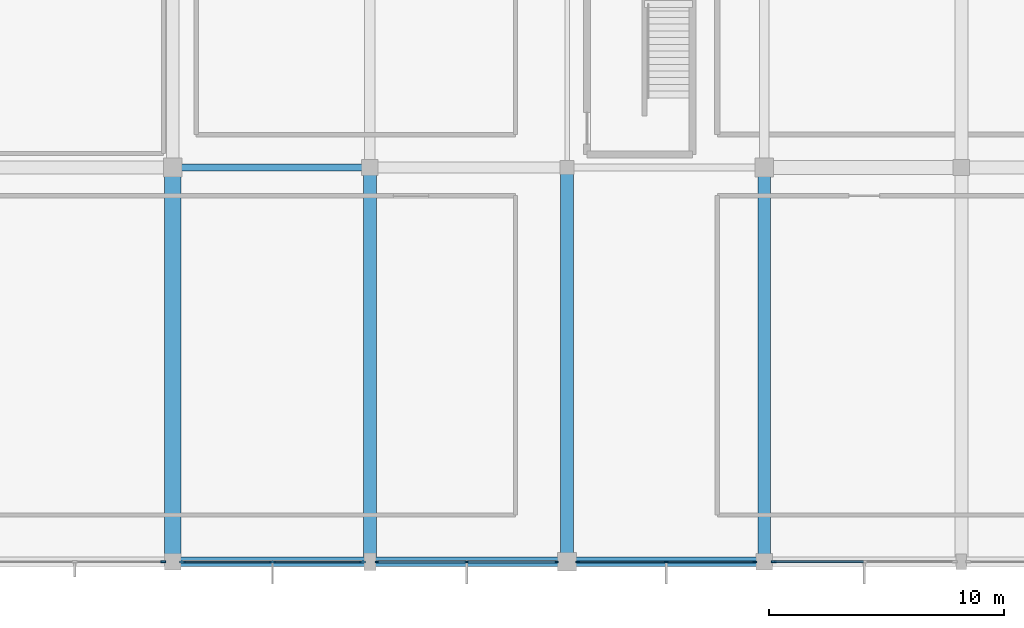
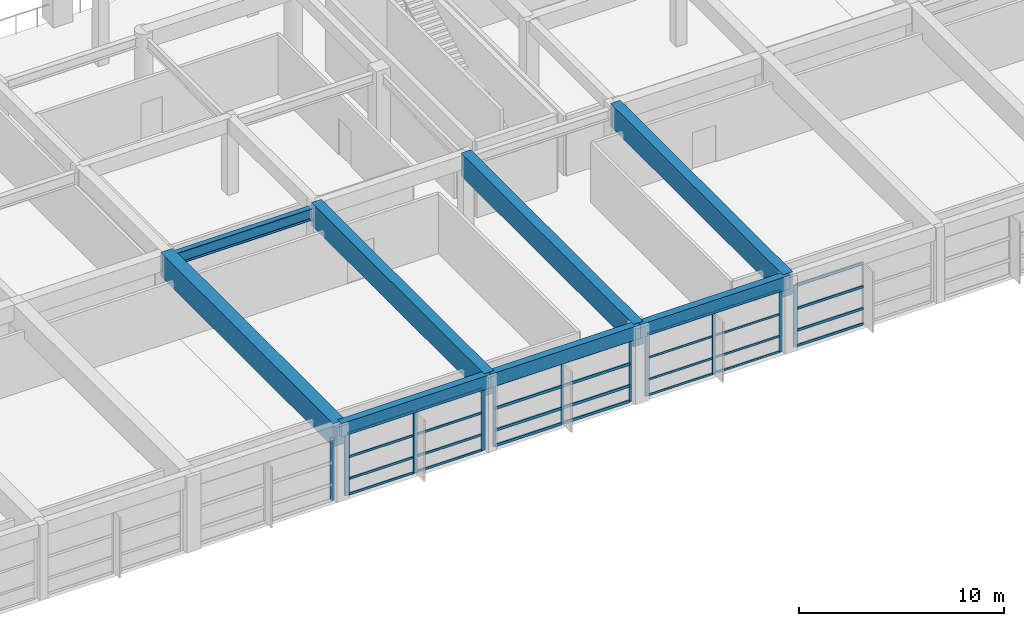
# One storey, part 16 of 65: 39 members, 8 beams, 5 elements without a shape of their own.
"""IFC4 building model written with IfcOpenShell, lengths in metres."""

from ifc_helpers import new_model, si_unit, direction, frame, origin, origin_2d, place, context, subcontext, project, spatial, rectangle, i_section, extrude, material, material_profile, profile_set, type_object, element, aggregate, save


model = new_model("IFC4")

# Units and contexts
model_context = context("Model", 3, precision=1e-05, world=origin(), true_north=direction((0.0, 1.0)))
body_context = subcontext(model_context, "Body", "Model", "MODEL_VIEW")
ifc_project = project(units=[si_unit("LENGTHUNIT", "METRE"), si_unit("AREAUNIT", "SQUARE_METRE"), si_unit("VOLUMEUNIT", "CUBIC_METRE"), si_unit("PLANEANGLEUNIT", "RADIAN"), si_unit("MASSUNIT", "GRAM", prefix="KILO")], contexts=[model_context])

# Site, building, storey
site_placement = place(None, origin())
site = spatial("IfcSite", under=ifc_project, at=site_placement, CompositionType="ELEMENT")
building_placement = place(site_placement, origin())
building = spatial("IfcBuilding", under=site, at=building_placement, Name="Xuanlan Plaza Opera House", CompositionType="ELEMENT")
storey_placement = place(building_placement, frame((0.0, 0.0, 5.39990234375)))
storey = spatial("IfcBuildingStorey", under=building, at=storey_placement, Name="L01", CompositionType="ELEMENT", Elevation=5.39990234375)

# Curtain wall, members
ifc_material_1 = material(Name="Anodised Aluminium 6063-T6 and Low-E Glass", Category="aluminium")
curtain_wall_type_1 = type_object("IfcCurtainWallType", Name="ENV-CW-CW-05", PredefinedType="USERDEFINED", material=ifc_material_1)
curtain_wall_1_placement = place(storey_placement, origin())
curtain_wall_1 = element("IfcCurtainWall", 1, at=curtain_wall_1_placement, inside=storey, type_object=curtain_wall_type_1, Name="Acoustic Glazed Wall L01-008", ObjectType="ACOUSTIC GLAZED WALL", PredefinedType="USERDEFINED")
ifc_material_2 = material(Name="Anodised Aluminium 6063-T6", Category="aluminium")
ifc_material_profile_1 = material_profile(ifc_material_2, rectangle(XDim=0.06494140625, YDim=0.159912109375, at=origin_2d()), Name="ALU-M 65x160")
ifc_profile_set_1 = profile_set([ifc_material_profile_1], Name="Anodised Aluminium 6063-T6")
member_type_1 = type_object("IfcMemberType", Name="ENV-CWM-01", PredefinedType="MULLION", material=ifc_profile_set_1)
member_1_placement = place(storey_placement, frame((75.902587890625, 0.0, 0.0), z_axis=(0.0, 0.0, 1.0), x_axis=(0.0, 1.0, 0.0)))
member_1 = element("IfcMember", 2, at=member_1_placement, type_object=member_type_1, Name="CW-05 mullion 1", PredefinedType="MULLION", context=body_context, shape_type="SweptSolid", body=[
    extrude(rectangle(XDim=0.06494140625, YDim=0.159912109375, at=origin_2d()), origin(), (0.0, 0.0, 1.0), 3.68017578125),
])
member_2_placement = place(storey_placement, frame((79.72509765625, 0.0, 0.0), z_axis=(0.0, 0.0, 1.0), x_axis=(0.0, 1.0, 0.0)))
member_2 = element("IfcMember", 3, at=member_2_placement, type_object=member_type_1, Name="CW-05 mullion 2", PredefinedType="MULLION", context=body_context, shape_type="SweptSolid", body=[
    extrude(rectangle(XDim=0.06494140625, YDim=0.159912109375, at=origin_2d()), origin(), (0.0, 0.0, 1.0), 3.68017578125),
])
member_3_placement = place(storey_placement, frame((83.547607421875, 0.0, 0.0), z_axis=(0.0, 0.0, 1.0), x_axis=(0.0, 1.0, 0.0)))
member_3 = element("IfcMember", 4, at=member_3_placement, type_object=member_type_1, Name="CW-05 mullion 3", PredefinedType="MULLION", context=body_context, shape_type="SweptSolid", body=[
    extrude(rectangle(XDim=0.06494140625, YDim=0.159912109375, at=origin_2d()), origin(), (0.0, 0.0, 1.0), 3.68017578125),
])

curtain_wall_type_2 = type_object("IfcCurtainWallType", Name="ENV-CW-CW-06", PredefinedType="USERDEFINED", material=ifc_material_1)
curtain_wall_2_placement = place(storey_placement, origin())
curtain_wall_2 = element("IfcCurtainWall", 5, at=curtain_wall_2_placement, inside=storey, type_object=curtain_wall_type_2, Name="Acoustic Glazed Wall L01-009", ObjectType="ACOUSTIC GLAZED WALL", PredefinedType="USERDEFINED")
ifc_material_profile_2 = material_profile(ifc_material_2, rectangle(XDim=0.070068359375, YDim=0.179931640625, at=origin_2d()), Name="ALU-M 70x180")
ifc_profile_set_2 = profile_set([ifc_material_profile_2], Name="Anodised Aluminium 6063-T6")
member_type_2 = type_object("IfcMemberType", Name="ENV-CWM-02", PredefinedType="MULLION", material=ifc_profile_set_2)
member_4_placement = place(storey_placement, frame((84.455078125, 0.0, 0.0), z_axis=(0.0, 0.0, 1.0), x_axis=(0.0, 1.0, 0.0)))
member_4 = element("IfcMember", 6, at=member_4_placement, type_object=member_type_2, Name="CW-06 mullion 1", PredefinedType="MULLION", context=body_context, shape_type="SweptSolid", body=[
    extrude(rectangle(XDim=0.070068359375, YDim=0.179931640625, at=origin_2d()), origin(), (0.0, 0.0, 1.0), 3.68017578125),
])
member_5_placement = place(storey_placement, frame((88.22509765625, 0.0, 0.0), z_axis=(0.0, 0.0, 1.0), x_axis=(0.0, 1.0, 0.0)))
member_5 = element("IfcMember", 7, at=member_5_placement, type_object=member_type_2, Name="CW-06 mullion 2", PredefinedType="MULLION", context=body_context, shape_type="SweptSolid", body=[
    extrude(rectangle(XDim=0.070068359375, YDim=0.179931640625, at=origin_2d()), origin(), (0.0, 0.0, 1.0), 3.68017578125),
])
member_6_placement = place(storey_placement, frame((91.9951171875, 0.0, 0.0), z_axis=(0.0, 0.0, 1.0), x_axis=(0.0, 1.0, 0.0)))
member_6 = element("IfcMember", 8, at=member_6_placement, type_object=member_type_2, Name="CW-06 mullion 3", PredefinedType="MULLION", context=body_context, shape_type="SweptSolid", body=[
    extrude(rectangle(XDim=0.070068359375, YDim=0.179931640625, at=origin_2d()), origin(), (0.0, 0.0, 1.0), 3.68017578125),
])

# Curtain wall, member
curtain_wall_3_placement = place(storey_placement, origin())
curtain_wall_3 = element("IfcCurtainWall", 9, at=curtain_wall_3_placement, inside=storey, type_object=curtain_wall_type_1, Name="Acoustic Glazed Wall L01-010", ObjectType="ACOUSTIC GLAZED WALL", PredefinedType="USERDEFINED")
ifc_material_profile_3 = material_profile(ifc_material_2, rectangle(XDim=0.074951171875, YDim=0.199951171875, at=origin_2d()), Name="ALU-M 75x200")
ifc_profile_set_3 = profile_set([ifc_material_profile_3], Name="Anodised Aluminium 6063-T6")
member_type_3 = type_object("IfcMemberType", Name="ENV-CWM-03", PredefinedType="MULLION", material=ifc_profile_set_3)
member_7_placement = place(storey_placement, frame((92.8076171875, 0.0, 0.0), z_axis=(0.0, 0.0, 1.0), x_axis=(0.0, 1.0, 0.0)))
member_7 = element("IfcMember", 10, at=member_7_placement, type_object=member_type_3, Name="CW-05 mullion 1", PredefinedType="MULLION", context=body_context, shape_type="SweptSolid", body=[
    extrude(rectangle(XDim=0.074951171875, YDim=0.199951171875, at=origin_2d()), origin(), (0.0, 0.0, 1.0), 3.68017578125),
])

curtain_wall_4_placement = place(storey_placement, origin())
curtain_wall_4 = element("IfcCurtainWall", 11, at=curtain_wall_4_placement, inside=storey, type_object=curtain_wall_type_1, Name="Acoustic Glazed Wall L01-006", ObjectType="ACOUSTIC GLAZED WALL", PredefinedType="USERDEFINED")
ifc_material_profile_4 = material_profile(ifc_material_2, rectangle(XDim=0.080078125, YDim=0.219970703125, at=origin_2d()), Name="ALU-M 80x220")
ifc_profile_set_4 = profile_set([ifc_material_profile_4], Name="Anodised Aluminium 6063-T6")
member_type_4 = type_object("IfcMemberType", Name="ENV-CWM-04", PredefinedType="MULLION", material=ifc_profile_set_4)
member_8_placement = place(storey_placement, frame((66.7900390625, 0.0, 0.0), z_axis=(0.0, 0.0, 1.0), x_axis=(0.0, 1.0, 0.0)))
member_8 = element("IfcMember", 12, at=member_8_placement, type_object=member_type_4, Name="CW-05 mullion 3", PredefinedType="MULLION", context=body_context, shape_type="SweptSolid", body=[
    extrude(rectangle(XDim=0.080078125, YDim=0.219970703125, at=origin_2d()), origin(), (0.0, 0.0, 1.0), 3.68017578125),
])
aggregate(curtain_wall_4, [member_8])

# Curtain wall, members
curtain_wall_5_placement = place(storey_placement, origin())
curtain_wall_5 = element("IfcCurtainWall", 13, at=curtain_wall_5_placement, inside=storey, type_object=curtain_wall_type_2, Name="Acoustic Glazed Wall L01-007", ObjectType="ACOUSTIC GLAZED WALL", PredefinedType="USERDEFINED")
ifc_material_profile_5 = material_profile(ifc_material_2, rectangle(XDim=0.090087890625, YDim=0.25, at=origin_2d()), Name="ALU-M 90x250")
ifc_profile_set_5 = profile_set([ifc_material_profile_5], Name="Anodised Aluminium 6063-T6")
member_type_5 = type_object("IfcMemberType", Name="ENV-CWM-05", PredefinedType="MULLION", material=ifc_profile_set_5)
member_9_placement = place(storey_placement, frame((67.614990234375, 0.0, 0.0), z_axis=(0.0, 0.0, 1.0), x_axis=(0.0, 1.0, 0.0)))
member_9 = element("IfcMember", 14, at=member_9_placement, type_object=member_type_5, Name="CW-06 mullion 1", PredefinedType="MULLION", context=body_context, shape_type="SweptSolid", body=[
    extrude(rectangle(XDim=0.090087890625, YDim=0.25, at=origin_2d()), origin(), (0.0, 0.0, 1.0), 3.68017578125),
])
member_10_placement = place(storey_placement, frame((71.449951171875, 0.0, 0.0), z_axis=(0.0, 0.0, 1.0), x_axis=(0.0, 1.0, 0.0)))
member_10 = element("IfcMember", 15, at=member_10_placement, type_object=member_type_5, Name="CW-06 mullion 2", PredefinedType="MULLION", context=body_context, shape_type="SweptSolid", body=[
    extrude(rectangle(XDim=0.090087890625, YDim=0.25, at=origin_2d()), origin(), (0.0, 0.0, 1.0), 3.68017578125),
])
member_11_placement = place(storey_placement, frame((75.284912109375, 0.0, 0.0), z_axis=(0.0, 0.0, 1.0), x_axis=(0.0, 1.0, 0.0)))
member_11 = element("IfcMember", 16, at=member_11_placement, type_object=member_type_5, Name="CW-06 mullion 3", PredefinedType="MULLION", context=body_context, shape_type="SweptSolid", body=[
    extrude(rectangle(XDim=0.090087890625, YDim=0.25, at=origin_2d()), origin(), (0.0, 0.0, 1.0), 3.68017578125),
])

# Member
ifc_material_profile_6 = material_profile(ifc_material_2, rectangle(XDim=0.06494140625, YDim=0.1201171875, at=origin_2d()), Name="ALU-T 65x120")
ifc_profile_set_6 = profile_set([ifc_material_profile_6], Name="Anodised Aluminium 6063-T6")
member_type_6 = type_object("IfcMemberType", Name="ENV-CWT-01", PredefinedType="USERDEFINED", material=ifc_profile_set_6)
member_12_placement = place(storey_placement, frame((84.489990234375, 0.0, 0.03271484375), z_axis=(1.0, 0.0, 0.0), x_axis=(0.0, 1.0, 0.0)))
member_12 = element("IfcMember", 17, at=member_12_placement, type_object=member_type_6, Name="CW-06 transom 1.1", ObjectType="TRANSOM", PredefinedType="USERDEFINED", context=body_context, shape_type="SweptSolid", body=[
    extrude(rectangle(XDim=0.06494140625, YDim=0.1201171875, at=origin_2d()), origin(), (0.0, 0.0, 1.0), 3.699951171875),
])

member_13_placement = place(storey_placement, frame((84.489990234375, 0.0, 0.9501953125), z_axis=(1.0, 0.0, 0.0), x_axis=(0.0, 1.0, 0.0)))
member_13 = element("IfcMember", 18, at=member_13_placement, type_object=member_type_6, Name="CW-06 transom 1.2", ObjectType="TRANSOM", PredefinedType="USERDEFINED", context=body_context, shape_type="SweptSolid", body=[
    extrude(rectangle(XDim=0.06494140625, YDim=0.1201171875, at=origin_2d()), origin(), (0.0, 0.0, 1.0), 3.699951171875),
])

member_14_placement = place(storey_placement, frame((84.489990234375, 0.0, 2.25), z_axis=(1.0, 0.0, 0.0), x_axis=(0.0, 1.0, 0.0)))
member_14 = element("IfcMember", 19, at=member_14_placement, type_object=member_type_6, Name="CW-06 transom 1.3", ObjectType="TRANSOM", PredefinedType="USERDEFINED", context=body_context, shape_type="SweptSolid", body=[
    extrude(rectangle(XDim=0.06494140625, YDim=0.1201171875, at=origin_2d()), origin(), (0.0, 0.0, 1.0), 3.699951171875),
])

member_15_placement = place(storey_placement, frame((84.489990234375, 0.0, 3.647705078125), z_axis=(1.0, 0.0, 0.0), x_axis=(0.0, 1.0, 0.0)))
member_15 = element("IfcMember", 20, at=member_15_placement, type_object=member_type_6, Name="CW-06 transom 1.4", ObjectType="TRANSOM", PredefinedType="USERDEFINED", context=body_context, shape_type="SweptSolid", body=[
    extrude(rectangle(XDim=0.06494140625, YDim=0.1201171875, at=origin_2d()), origin(), (0.0, 0.0, 1.0), 3.699951171875),
])

member_16_placement = place(storey_placement, frame((88.260009765625, 0.0, 0.03271484375), z_axis=(1.0, 0.0, 0.0), x_axis=(0.0, 1.0, 0.0)))
member_16 = element("IfcMember", 21, at=member_16_placement, type_object=member_type_6, Name="CW-06 transom 2.1", ObjectType="TRANSOM", PredefinedType="USERDEFINED", context=body_context, shape_type="SweptSolid", body=[
    extrude(rectangle(XDim=0.06494140625, YDim=0.1201171875, at=origin_2d()), origin(), (0.0, 0.0, 1.0), 3.699951171875),
])

member_17_placement = place(storey_placement, frame((88.260009765625, 0.0, 0.9501953125), z_axis=(1.0, 0.0, 0.0), x_axis=(0.0, 1.0, 0.0)))
member_17 = element("IfcMember", 22, at=member_17_placement, type_object=member_type_6, Name="CW-06 transom 2.2", ObjectType="TRANSOM", PredefinedType="USERDEFINED", context=body_context, shape_type="SweptSolid", body=[
    extrude(rectangle(XDim=0.06494140625, YDim=0.1201171875, at=origin_2d()), origin(), (0.0, 0.0, 1.0), 3.699951171875),
])

member_18_placement = place(storey_placement, frame((88.260009765625, 0.0, 2.25), z_axis=(1.0, 0.0, 0.0), x_axis=(0.0, 1.0, 0.0)))
member_18 = element("IfcMember", 23, at=member_18_placement, type_object=member_type_6, Name="CW-06 transom 2.3", ObjectType="TRANSOM", PredefinedType="USERDEFINED", context=body_context, shape_type="SweptSolid", body=[
    extrude(rectangle(XDim=0.06494140625, YDim=0.1201171875, at=origin_2d()), origin(), (0.0, 0.0, 1.0), 3.699951171875),
])

member_19_placement = place(storey_placement, frame((88.260009765625, 0.0, 3.647705078125), z_axis=(1.0, 0.0, 0.0), x_axis=(0.0, 1.0, 0.0)))
member_19 = element("IfcMember", 24, at=member_19_placement, type_object=member_type_6, Name="CW-06 transom 2.4", ObjectType="TRANSOM", PredefinedType="USERDEFINED", context=body_context, shape_type="SweptSolid", body=[
    extrude(rectangle(XDim=0.06494140625, YDim=0.1201171875, at=origin_2d()), origin(), (0.0, 0.0, 1.0), 3.699951171875),
])

aggregate(curtain_wall_2, [member_4, member_5, member_6, member_12, member_13, member_14, member_15, member_16, member_17, member_18, member_19])

ifc_material_profile_7 = material_profile(ifc_material_2, rectangle(XDim=0.070068359375, YDim=0.135009765625, at=origin_2d()), Name="ALU-T 70x135")
ifc_profile_set_7 = profile_set([ifc_material_profile_7], Name="Anodised Aluminium 6063-T6")
member_type_7 = type_object("IfcMemberType", Name="ENV-CWT-02", PredefinedType="USERDEFINED", material=ifc_profile_set_7)
member_20_placement = place(storey_placement, frame((67.659912109375, 0.0, 0.03515625), z_axis=(1.0, 0.0, 0.0), x_axis=(0.0, 1.0, 0.0)))
member_20 = element("IfcMember", 25, at=member_20_placement, type_object=member_type_7, Name="CW-06 transom 1.1", ObjectType="TRANSOM", PredefinedType="USERDEFINED", context=body_context, shape_type="SweptSolid", body=[
    extrude(rectangle(XDim=0.070068359375, YDim=0.135009765625, at=origin_2d()), origin(), (0.0, 0.0, 1.0), 3.7451171875),
])

member_21_placement = place(storey_placement, frame((67.659912109375, 0.0, 0.9501953125), z_axis=(1.0, 0.0, 0.0), x_axis=(0.0, 1.0, 0.0)))
member_21 = element("IfcMember", 26, at=member_21_placement, type_object=member_type_7, Name="CW-06 transom 1.2", ObjectType="TRANSOM", PredefinedType="USERDEFINED", context=body_context, shape_type="SweptSolid", body=[
    extrude(rectangle(XDim=0.070068359375, YDim=0.135009765625, at=origin_2d()), origin(), (0.0, 0.0, 1.0), 3.7451171875),
])

member_22_placement = place(storey_placement, frame((67.659912109375, 0.0, 2.25), z_axis=(1.0, 0.0, 0.0), x_axis=(0.0, 1.0, 0.0)))
member_22 = element("IfcMember", 27, at=member_22_placement, type_object=member_type_7, Name="CW-06 transom 1.3", ObjectType="TRANSOM", PredefinedType="USERDEFINED", context=body_context, shape_type="SweptSolid", body=[
    extrude(rectangle(XDim=0.070068359375, YDim=0.135009765625, at=origin_2d()), origin(), (0.0, 0.0, 1.0), 3.7451171875),
])

member_23_placement = place(storey_placement, frame((67.659912109375, 0.0, 3.64501953125), z_axis=(1.0, 0.0, 0.0), x_axis=(0.0, 1.0, 0.0)))
member_23 = element("IfcMember", 28, at=member_23_placement, type_object=member_type_7, Name="CW-06 transom 1.4", ObjectType="TRANSOM", PredefinedType="USERDEFINED", context=body_context, shape_type="SweptSolid", body=[
    extrude(rectangle(XDim=0.070068359375, YDim=0.135009765625, at=origin_2d()), origin(), (0.0, 0.0, 1.0), 3.7451171875),
])

member_24_placement = place(storey_placement, frame((71.4951171875, 0.0, 0.03515625), z_axis=(1.0, 0.0, 0.0), x_axis=(0.0, 1.0, 0.0)))
member_24 = element("IfcMember", 29, at=member_24_placement, type_object=member_type_7, Name="CW-06 transom 2.1", ObjectType="TRANSOM", PredefinedType="USERDEFINED", context=body_context, shape_type="SweptSolid", body=[
    extrude(rectangle(XDim=0.070068359375, YDim=0.135009765625, at=origin_2d()), origin(), (0.0, 0.0, 1.0), 3.744873046875),
])

member_25_placement = place(storey_placement, frame((71.4951171875, 0.0, 0.9501953125), z_axis=(1.0, 0.0, 0.0), x_axis=(0.0, 1.0, 0.0)))
member_25 = element("IfcMember", 30, at=member_25_placement, type_object=member_type_7, Name="CW-06 transom 2.2", ObjectType="TRANSOM", PredefinedType="USERDEFINED", context=body_context, shape_type="SweptSolid", body=[
    extrude(rectangle(XDim=0.070068359375, YDim=0.135009765625, at=origin_2d()), origin(), (0.0, 0.0, 1.0), 3.744873046875),
])

member_26_placement = place(storey_placement, frame((71.4951171875, 0.0, 2.25), z_axis=(1.0, 0.0, 0.0), x_axis=(0.0, 1.0, 0.0)))
member_26 = element("IfcMember", 31, at=member_26_placement, type_object=member_type_7, Name="CW-06 transom 2.3", ObjectType="TRANSOM", PredefinedType="USERDEFINED", context=body_context, shape_type="SweptSolid", body=[
    extrude(rectangle(XDim=0.070068359375, YDim=0.135009765625, at=origin_2d()), origin(), (0.0, 0.0, 1.0), 3.744873046875),
])

member_27_placement = place(storey_placement, frame((71.4951171875, 0.0, 3.64501953125), z_axis=(1.0, 0.0, 0.0), x_axis=(0.0, 1.0, 0.0)))
member_27 = element("IfcMember", 32, at=member_27_placement, type_object=member_type_7, Name="CW-06 transom 2.4", ObjectType="TRANSOM", PredefinedType="USERDEFINED", context=body_context, shape_type="SweptSolid", body=[
    extrude(rectangle(XDim=0.070068359375, YDim=0.135009765625, at=origin_2d()), origin(), (0.0, 0.0, 1.0), 3.744873046875),
])

aggregate(curtain_wall_5, [member_9, member_10, member_11, member_20, member_21, member_22, member_23, member_24, member_25, member_26, member_27])

ifc_material_profile_8 = material_profile(ifc_material_2, rectangle(XDim=0.074951171875, YDim=0.14990234375, at=origin_2d()), Name="ALU-T 75x150")
ifc_profile_set_8 = profile_set([ifc_material_profile_8], Name="Anodised Aluminium 6063-T6")
member_type_8 = type_object("IfcMemberType", Name="ENV-CWT-03", PredefinedType="USERDEFINED", material=ifc_profile_set_8)
member_28_placement = place(storey_placement, frame((92.844970703125, 0.0, 0.03759765625), z_axis=(1.0, 0.0, 0.0), x_axis=(0.0, 1.0, 0.0)))
member_28 = element("IfcMember", 33, at=member_28_placement, type_object=member_type_8, Name="CW-05 transom 1.1", ObjectType="TRANSOM", PredefinedType="USERDEFINED", context=body_context, shape_type="SweptSolid", body=[
    extrude(rectangle(XDim=0.074951171875, YDim=0.14990234375, at=origin_2d()), origin(), (0.0, 0.0, 1.0), 3.780029296875),
])

member_29_placement = place(storey_placement, frame((92.844970703125, 0.0, 0.9501953125), z_axis=(1.0, 0.0, 0.0), x_axis=(0.0, 1.0, 0.0)))
member_29 = element("IfcMember", 34, at=member_29_placement, type_object=member_type_8, Name="CW-05 transom 1.2", ObjectType="TRANSOM", PredefinedType="USERDEFINED", context=body_context, shape_type="SweptSolid", body=[
    extrude(rectangle(XDim=0.074951171875, YDim=0.14990234375, at=origin_2d()), origin(), (0.0, 0.0, 1.0), 3.780029296875),
])

member_30_placement = place(storey_placement, frame((92.844970703125, 0.0, 2.25), z_axis=(1.0, 0.0, 0.0), x_axis=(0.0, 1.0, 0.0)))
member_30 = element("IfcMember", 35, at=member_30_placement, type_object=member_type_8, Name="CW-05 transom 1.3", ObjectType="TRANSOM", PredefinedType="USERDEFINED", context=body_context, shape_type="SweptSolid", body=[
    extrude(rectangle(XDim=0.074951171875, YDim=0.14990234375, at=origin_2d()), origin(), (0.0, 0.0, 1.0), 3.780029296875),
])

member_31_placement = place(storey_placement, frame((92.844970703125, 0.0, 3.642578125), z_axis=(1.0, 0.0, 0.0), x_axis=(0.0, 1.0, 0.0)))
member_31 = element("IfcMember", 36, at=member_31_placement, type_object=member_type_8, Name="CW-05 transom 1.4", ObjectType="TRANSOM", PredefinedType="USERDEFINED", context=body_context, shape_type="SweptSolid", body=[
    extrude(rectangle(XDim=0.074951171875, YDim=0.14990234375, at=origin_2d()), origin(), (0.0, 0.0, 1.0), 3.780029296875),
])

aggregate(curtain_wall_3, [member_7, member_28, member_29, member_30, member_31])

ifc_material_profile_9 = material_profile(ifc_material_2, rectangle(XDim=0.080078125, YDim=0.1650390625, at=origin_2d()), Name="ALU-T 80x165")
ifc_profile_set_9 = profile_set([ifc_material_profile_9], Name="Anodised Aluminium 6063-T6")
member_type_9 = type_object("IfcMemberType", Name="ENV-CWT-04", PredefinedType="USERDEFINED", material=ifc_profile_set_9)
member_32_placement = place(storey_placement, frame((75.93505859375, 0.0, 0.0400390625), z_axis=(1.0, 0.0, 0.0), x_axis=(0.0, 1.0, 0.0)))
member_32 = element("IfcMember", 37, at=member_32_placement, type_object=member_type_9, Name="CW-05 transom 1.1", ObjectType="TRANSOM", PredefinedType="USERDEFINED", context=body_context, shape_type="SweptSolid", body=[
    extrude(rectangle(XDim=0.080078125, YDim=0.1650390625, at=origin_2d()), origin(), (0.0, 0.0, 1.0), 3.75732421875),
])

member_33_placement = place(storey_placement, frame((75.93505859375, 0.0, 0.9501953125), z_axis=(1.0, 0.0, 0.0), x_axis=(0.0, 1.0, 0.0)))
member_33 = element("IfcMember", 38, at=member_33_placement, type_object=member_type_9, Name="CW-05 transom 1.2", ObjectType="TRANSOM", PredefinedType="USERDEFINED", context=body_context, shape_type="SweptSolid", body=[
    extrude(rectangle(XDim=0.080078125, YDim=0.1650390625, at=origin_2d()), origin(), (0.0, 0.0, 1.0), 3.75732421875),
])

member_34_placement = place(storey_placement, frame((75.93505859375, 0.0, 2.25), z_axis=(1.0, 0.0, 0.0), x_axis=(0.0, 1.0, 0.0)))
member_34 = element("IfcMember", 39, at=member_34_placement, type_object=member_type_9, Name="CW-05 transom 1.3", ObjectType="TRANSOM", PredefinedType="USERDEFINED", context=body_context, shape_type="SweptSolid", body=[
    extrude(rectangle(XDim=0.080078125, YDim=0.1650390625, at=origin_2d()), origin(), (0.0, 0.0, 1.0), 3.75732421875),
])

member_35_placement = place(storey_placement, frame((75.93505859375, 0.0, 3.64013671875), z_axis=(1.0, 0.0, 0.0), x_axis=(0.0, 1.0, 0.0)))
member_35 = element("IfcMember", 40, at=member_35_placement, type_object=member_type_9, Name="CW-05 transom 1.4", ObjectType="TRANSOM", PredefinedType="USERDEFINED", context=body_context, shape_type="SweptSolid", body=[
    extrude(rectangle(XDim=0.080078125, YDim=0.1650390625, at=origin_2d()), origin(), (0.0, 0.0, 1.0), 3.75732421875),
])

member_36_placement = place(storey_placement, frame((79.757568359375, 0.0, 0.0400390625), z_axis=(1.0, 0.0, 0.0), x_axis=(0.0, 1.0, 0.0)))
member_36 = element("IfcMember", 41, at=member_36_placement, type_object=member_type_9, Name="CW-05 transom 2.1", ObjectType="TRANSOM", PredefinedType="USERDEFINED", context=body_context, shape_type="SweptSolid", body=[
    extrude(rectangle(XDim=0.080078125, YDim=0.1650390625, at=origin_2d()), origin(), (0.0, 0.0, 1.0), 3.75732421875),
])

member_37_placement = place(storey_placement, frame((79.757568359375, 0.0, 0.9501953125), z_axis=(1.0, 0.0, 0.0), x_axis=(0.0, 1.0, 0.0)))
member_37 = element("IfcMember", 42, at=member_37_placement, type_object=member_type_9, Name="CW-05 transom 2.2", ObjectType="TRANSOM", PredefinedType="USERDEFINED", context=body_context, shape_type="SweptSolid", body=[
    extrude(rectangle(XDim=0.080078125, YDim=0.1650390625, at=origin_2d()), origin(), (0.0, 0.0, 1.0), 3.75732421875),
])

member_38_placement = place(storey_placement, frame((79.757568359375, 0.0, 2.25), z_axis=(1.0, 0.0, 0.0), x_axis=(0.0, 1.0, 0.0)))
member_38 = element("IfcMember", 43, at=member_38_placement, type_object=member_type_9, Name="CW-05 transom 2.3", ObjectType="TRANSOM", PredefinedType="USERDEFINED", context=body_context, shape_type="SweptSolid", body=[
    extrude(rectangle(XDim=0.080078125, YDim=0.1650390625, at=origin_2d()), origin(), (0.0, 0.0, 1.0), 3.75732421875),
])

member_39_placement = place(storey_placement, frame((79.757568359375, 0.0, 3.64013671875), z_axis=(1.0, 0.0, 0.0), x_axis=(0.0, 1.0, 0.0)))
member_39 = element("IfcMember", 44, at=member_39_placement, type_object=member_type_9, Name="CW-05 transom 2.4", ObjectType="TRANSOM", PredefinedType="USERDEFINED", context=body_context, shape_type="SweptSolid", body=[
    extrude(rectangle(XDim=0.080078125, YDim=0.1650390625, at=origin_2d()), origin(), (0.0, 0.0, 1.0), 3.75732421875),
])

aggregate(curtain_wall_1, [member_1, member_2, member_3, member_32, member_33, member_34, member_35, member_36, member_37, member_38, member_39])

# Beams
ifc_material_3 = material(Name="Concrete C50", Category="concrete")
ifc_material_profile_10 = material_profile(ifc_material_3, rectangle(XDim=0.699951171875, YDim=1.39990234375, at=origin_2d()), Name="RC-LG 700x1400")
ifc_profile_set_10 = profile_set([ifc_material_profile_10], Name="Concrete C50")
beam_type_1 = type_object("IfcBeamType", Name="STR-BM-LG-01", PredefinedType="BEAM", material=ifc_profile_set_10)
beam_1_placement = place(storey_placement, frame((67.199951171875, 0.0, 3.800048828125), z_axis=(0.0, 1.0, 0.0), x_axis=(-1.0, 0.0, 0.0)))
element("IfcBeam", 45, at=beam_1_placement, inside=storey, type_object=beam_type_1, Name="Grid Beam Y L01 9/A-C", PredefinedType="BEAM", context=body_context, shape_type="SweptSolid", body=[
    extrude(rectangle(XDim=0.699951171875, YDim=1.39990234375, at=origin_2d()), origin(), (0.0, 0.0, 1.0), 16.800048828125),
])
ifc_material_profile_11 = material_profile(ifc_material_3, rectangle(XDim=0.550048828125, YDim=1.35009765625, at=origin_2d()), Name="RC-SPD 550x1350")
ifc_profile_set_11 = profile_set([ifc_material_profile_11], Name="Concrete C50")
beam_type_2 = type_object("IfcBeamType", Name="STR-BM-LG-SP1", PredefinedType="SPANDREL", material=ifc_profile_set_11)
for number, where, z_axis, x_axis, name in (
    (46, (75.60009765625, 0.0, 3.8251953125), (0.0, 1.0, 0.0), (-1.0, 0.0, 0.0), "Grid Beam Y L01 10/A-C"),
    (47, (84.0, 0.0, 3.8251953125), (0.0, 1.0, 0.0), (-1.0, 0.0, 0.0), "Grid Beam Y L01 11/A-C"),
    (48, (92.39990234375, 0.0, 3.8251953125), (0.0, 1.0, 0.0), (-1.0, 0.0, 0.0), "Grid Beam Y L01 12/A-C"),
):
    element("IfcBeam", number, at=place(storey_placement, frame(where, z_axis=z_axis, x_axis=x_axis)), inside=storey, type_object=beam_type_2, Name=name, PredefinedType="SPANDREL", context=body_context, shape_type="SweptSolid", body=[
        extrude(rectangle(XDim=0.550048828125, YDim=1.35009765625, at=origin_2d()), origin(), (0.0, 0.0, 1.0), 16.800048828125),
    ])
ifc_material_4 = material(Name="Steel Q355B", Category="steel")
ifc_material_profile_12 = material_profile(ifc_material_4, i_section(OverallWidth=0.300048828125, OverallDepth=0.699951171875, WebThickness=0.012939453125, FlangeThickness=0.02392578125, FilletRadius=0.02392578125, at=origin_2d()), Name="HN 700x300x13x24")
ifc_profile_set_12 = profile_set([ifc_material_profile_12], Name="Steel Q355B")
beam_type_3 = type_object("IfcBeamType", Name="STR-BM-SB-03", PredefinedType="BEAM", material=ifc_profile_set_12)
beam_2_placement = place(storey_placement, frame((67.199951171875, 16.800048828125, 3.885009765625), z_axis=(1.0, 0.0, 0.0), x_axis=(0.0, 1.0, 0.0)))
element("IfcBeam", 49, at=beam_2_placement, inside=storey, type_object=beam_type_3, Name="Grid Beam X L01 9-10/C", PredefinedType="BEAM", context=body_context, shape_type="SweptSolid", body=[
    extrude(i_section(OverallWidth=0.300048828125, OverallDepth=0.699951171875, WebThickness=0.012939453125, FlangeThickness=0.02392578125, FilletRadius=0.02392578125, at=origin_2d()), origin(), (0.0, 0.0, 1.0), 8.400146484375),
])
ifc_material_5 = material(Name="Concrete C40", Category="concrete")
ifc_material_profile_13 = material_profile(ifc_material_5, rectangle(XDim=0.39990234375, YDim=0.800048828125, at=origin_2d()), Name="RC-SPD 400x800")
ifc_profile_set_13 = profile_set([ifc_material_profile_13], Name="Concrete C40")
beam_type_4 = type_object("IfcBeamType", Name="STR-BM-SP-01", PredefinedType="SPANDREL", material=ifc_profile_set_13)
beam_3_placement = place(storey_placement, frame((67.199951171875, 0.0, 4.10009765625), z_axis=(1.0, 0.0, 0.0), x_axis=(0.0, 1.0, 0.0)))
element("IfcBeam", 50, at=beam_3_placement, inside=storey, type_object=beam_type_4, Name="Grid Beam X L01 9-10/A", PredefinedType="SPANDREL", context=body_context, shape_type="SweptSolid", body=[
    extrude(rectangle(XDim=0.39990234375, YDim=0.800048828125, at=origin_2d()), origin(), (0.0, 0.0, 1.0), 8.400146484375),
])
for number, where, z_axis, x_axis, name in (
    (51, (75.60009765625, 0.0, 4.10009765625), (1.0, 0.0, 0.0), (0.0, 1.0, 0.0), "Grid Beam X L01 10-11/A"),
    (52, (84.0, 0.0, 4.10009765625), (1.0, 0.0, 0.0), (0.0, 1.0, 0.0), "Grid Beam X L01 11-12/A"),
):
    element("IfcBeam", number, at=place(storey_placement, frame(where, z_axis=z_axis, x_axis=x_axis)), inside=storey, type_object=beam_type_4, Name=name, PredefinedType="SPANDREL", context=body_context, shape_type="SweptSolid", body=[
        extrude(rectangle(XDim=0.39990234375, YDim=0.800048828125, at=origin_2d()), origin(), (0.0, 0.0, 1.0), 8.39990234375),
    ])

save(model, "model.ifc")
